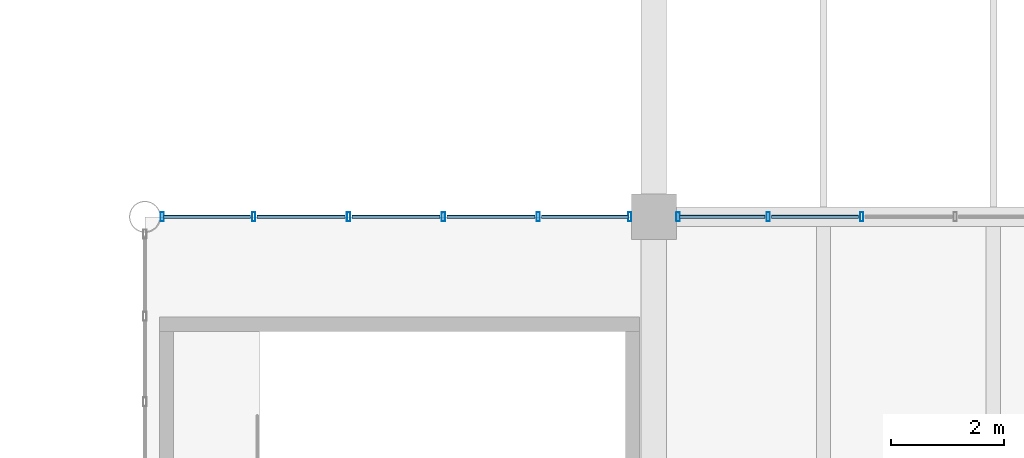
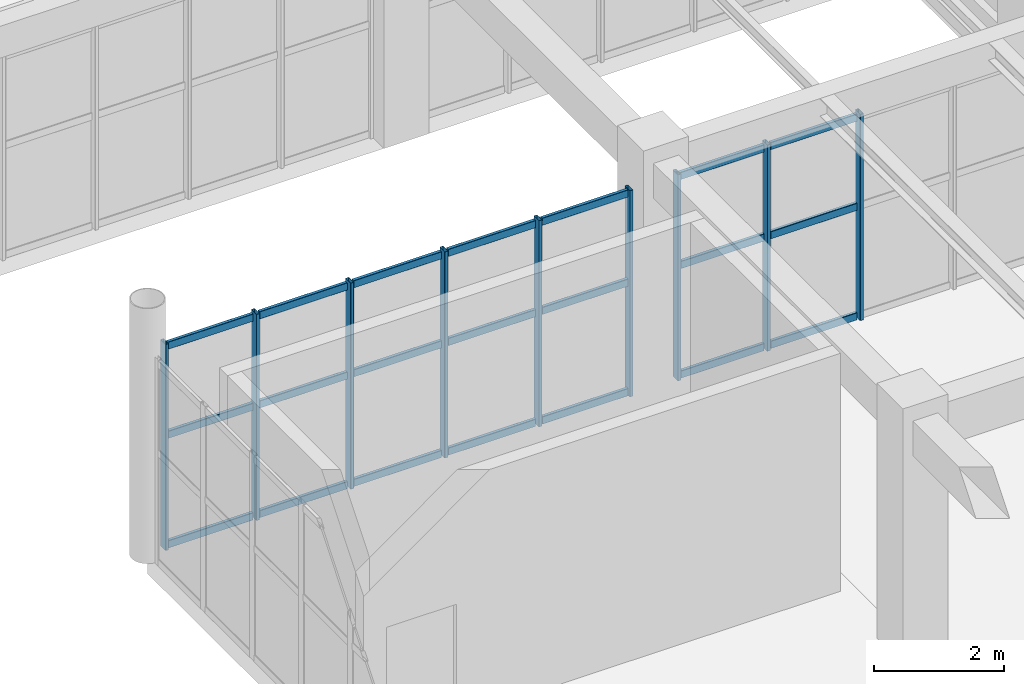
# One storey, part 75 of 178: 30 members, 2 elements without a shape of their own.
"""IFC4 building model written with IfcOpenShell, lengths in metres."""

from ifc_helpers import new_model, si_unit, derived_unit, direction, frame, origin, origin_2d, place, context, subcontext, project, spatial, hollow_rectangle, extrude, material, material_profile, profile_set, type_object, element, aggregate, save


model = new_model("IFC4")

# Units and contexts
model_context = context("Model", 3, precision=1e-05, world=origin(), true_north=direction((0.0, 1.0)))
body_context = subcontext(model_context, "Body", "Model", "MODEL_VIEW")
ifc_project = project(units=[si_unit("LENGTHUNIT", "METRE"), si_unit("AREAUNIT", "SQUARE_METRE"), si_unit("VOLUMEUNIT", "CUBIC_METRE"), si_unit("PLANEANGLEUNIT", "RADIAN"), si_unit("MASSUNIT", "GRAM", prefix="KILO"), derived_unit("THERMALTRANSMITTANCEUNIT", [(si_unit("MASSUNIT", "GRAM", prefix="KILO"), 1), (si_unit("TIMEUNIT", "SECOND"), -3), (si_unit("THERMODYNAMICTEMPERATUREUNIT", "KELVIN"), -1)])], contexts=[model_context])

# Site, building, storey
site_placement = place(None, origin())
site = spatial("IfcSite", under=ifc_project, at=site_placement, CompositionType="ELEMENT")
building_placement = place(site_placement, origin())
building = spatial("IfcBuilding", under=site, at=building_placement, Name="Zhenchuan Archway Interchange", CompositionType="ELEMENT")
storey_placement = place(building_placement, frame((0.0, 0.0, 5.39990234375)))
storey = spatial("IfcBuildingStorey", under=building, at=storey_placement, Name="L01", CompositionType="ELEMENT", Elevation=5.39990234375)

# Curtain wall, members
ifc_material = material(Name="Anodised Aluminium", Category="aluminium")
curtain_wall_type_1 = type_object("IfcCurtainWallType", Name="CW_UNIT_2", PredefinedType="NOTDEFINED", material=ifc_material)
curtain_wall_1_placement = place(storey_placement, origin())
curtain_wall_1 = element("IfcCurtainWall", 1, at=curtain_wall_1_placement, inside=storey, type_object=curtain_wall_type_1, Name="Unitised curtain wall CW:L01:037", PredefinedType="NOTDEFINED")
ifc_material_profile_1 = material_profile(ifc_material, hollow_rectangle(XDim=0.06005859375, YDim=0.159912109375, WallThickness=0.00390625, InnerFilletRadius=0.00390625, OuterFilletRadius=0.008056640625, at=origin_2d()), Name="ALU 160x60x4")
ifc_profile_set_1 = profile_set([ifc_material_profile_1], Name="Anodised Aluminium")
member_type_1 = type_object("IfcMemberType", Name="CW_MUL_150", PredefinedType="MULLION", material=ifc_profile_set_1)
member_1_placement = place(storey_placement, frame((18.306396484375, 88.0, 0.0), z_axis=(0.0, 0.0, 1.0), x_axis=(1.0, 0.0, 0.0)))
member_1 = element("IfcMember", 2, at=member_1_placement, type_object=member_type_1, Name="CW:L01:037 mullion 0", PredefinedType="MULLION", context=body_context, shape_type="SweptSolid", body=[
    extrude(hollow_rectangle(XDim=0.06005859375, YDim=0.159912109375, WallThickness=0.00390625, InnerFilletRadius=0.00390625, OuterFilletRadius=0.008056640625, at=origin_2d()), origin(), (0.0, 0.0, 1.0), 3.880126953125),
])
member_2_placement = place(storey_placement, frame((19.923583984375, 88.0, 0.0), z_axis=(0.0, 0.0, 1.0), x_axis=(1.0, 0.0, 0.0)))
member_2 = element("IfcMember", 3, at=member_2_placement, type_object=member_type_1, Name="CW:L01:037 mullion 1", PredefinedType="MULLION", context=body_context, shape_type="SweptSolid", body=[
    extrude(hollow_rectangle(XDim=0.06005859375, YDim=0.159912109375, WallThickness=0.00390625, InnerFilletRadius=0.00390625, OuterFilletRadius=0.008056640625, at=origin_2d()), origin(), (0.0, 0.0, 1.0), 3.880126953125),
])
member_3_placement = place(storey_placement, frame((21.6005859375, 88.0, 0.0), z_axis=(0.0, 0.0, 1.0), x_axis=(1.0, 0.0, 0.0)))
member_3 = element("IfcMember", 4, at=member_3_placement, type_object=member_type_1, Name="CW:L01:037 mullion 2", PredefinedType="MULLION", context=body_context, shape_type="SweptSolid", body=[
    extrude(hollow_rectangle(XDim=0.06005859375, YDim=0.159912109375, WallThickness=0.00390625, InnerFilletRadius=0.00390625, OuterFilletRadius=0.008056640625, at=origin_2d()), origin(), (0.0, 0.0, 1.0), 3.880126953125),
])
member_4_placement = place(storey_placement, frame((23.27783203125, 88.0, 0.0), z_axis=(0.0, 0.0, 1.0), x_axis=(1.0, 0.0, 0.0)))
member_4 = element("IfcMember", 5, at=member_4_placement, type_object=member_type_1, Name="CW:L01:037 mullion 3", PredefinedType="MULLION", context=body_context, shape_type="SweptSolid", body=[
    extrude(hollow_rectangle(XDim=0.06005859375, YDim=0.159912109375, WallThickness=0.00390625, InnerFilletRadius=0.00390625, OuterFilletRadius=0.008056640625, at=origin_2d()), origin(), (0.0, 0.0, 1.0), 3.880126953125),
])
member_5_placement = place(storey_placement, frame((24.954833984375, 88.0, 0.0), z_axis=(0.0, 0.0, 1.0), x_axis=(1.0, 0.0, 0.0)))
member_5 = element("IfcMember", 6, at=member_5_placement, type_object=member_type_1, Name="CW:L01:037 mullion 4", PredefinedType="MULLION", context=body_context, shape_type="SweptSolid", body=[
    extrude(hollow_rectangle(XDim=0.06005859375, YDim=0.159912109375, WallThickness=0.00390625, InnerFilletRadius=0.00390625, OuterFilletRadius=0.008056640625, at=origin_2d()), origin(), (0.0, 0.0, 1.0), 3.880126953125),
])
member_6_placement = place(storey_placement, frame((26.572021484375, 88.0, 0.0), z_axis=(0.0, 0.0, 1.0), x_axis=(1.0, 0.0, 0.0)))
member_6 = element("IfcMember", 7, at=member_6_placement, type_object=member_type_1, Name="CW:L01:037 mullion 5", PredefinedType="MULLION", context=body_context, shape_type="SweptSolid", body=[
    extrude(hollow_rectangle(XDim=0.06005859375, YDim=0.159912109375, WallThickness=0.00390625, InnerFilletRadius=0.00390625, OuterFilletRadius=0.008056640625, at=origin_2d()), origin(), (0.0, 0.0, 1.0), 3.880126953125),
])

curtain_wall_type_2 = type_object("IfcCurtainWallType", Name="CW_UNIT_3", PredefinedType="NOTDEFINED", material=ifc_material)
curtain_wall_2_placement = place(storey_placement, origin())
curtain_wall_2 = element("IfcCurtainWall", 8, at=curtain_wall_2_placement, inside=storey, type_object=curtain_wall_type_2, Name="Unitised curtain wall CW:L01:038", PredefinedType="NOTDEFINED")
member_7_placement = place(storey_placement, frame((27.427978515625, 88.0, 0.0), z_axis=(0.0, 0.0, 1.0), x_axis=(1.0, 0.0, 0.0)))
member_7 = element("IfcMember", 9, at=member_7_placement, type_object=member_type_1, Name="CW:L01:038 mullion 0", PredefinedType="MULLION", context=body_context, shape_type="SweptSolid", body=[
    extrude(hollow_rectangle(XDim=0.06005859375, YDim=0.159912109375, WallThickness=0.00390625, InnerFilletRadius=0.00390625, OuterFilletRadius=0.008056640625, at=origin_2d()), origin(), (0.0, 0.0, 1.0), 3.880126953125),
])
member_8_placement = place(storey_placement, frame((29.020751953125, 88.0, 0.0), z_axis=(0.0, 0.0, 1.0), x_axis=(1.0, 0.0, 0.0)))
member_8 = element("IfcMember", 10, at=member_8_placement, type_object=member_type_1, Name="CW:L01:038 mullion 1", PredefinedType="MULLION", context=body_context, shape_type="SweptSolid", body=[
    extrude(hollow_rectangle(XDim=0.06005859375, YDim=0.159912109375, WallThickness=0.00390625, InnerFilletRadius=0.00390625, OuterFilletRadius=0.008056640625, at=origin_2d()), origin(), (0.0, 0.0, 1.0), 3.880126953125),
])
member_9_placement = place(storey_placement, frame((30.673583984375, 88.0, 0.0), z_axis=(0.0, 0.0, 1.0), x_axis=(1.0, 0.0, 0.0)))
member_9 = element("IfcMember", 11, at=member_9_placement, type_object=member_type_1, Name="CW:L01:038 mullion 2", PredefinedType="MULLION", context=body_context, shape_type="SweptSolid", body=[
    extrude(hollow_rectangle(XDim=0.06005859375, YDim=0.159912109375, WallThickness=0.00390625, InnerFilletRadius=0.00390625, OuterFilletRadius=0.008056640625, at=origin_2d()), origin(), (0.0, 0.0, 1.0), 3.880126953125),
])

# Member
ifc_material_profile_2 = material_profile(ifc_material, hollow_rectangle(XDim=0.06005859375, YDim=0.139892578125, WallThickness=0.00341796875, InnerFilletRadius=0.00341796875, OuterFilletRadius=0.007080078125, at=origin_2d()), Name="ALU 140x60x3.5")
ifc_profile_set_2 = profile_set([ifc_material_profile_2], Name="Anodised Aluminium")
member_type_2 = type_object("IfcMemberType", Name="CW_TRN_140", PredefinedType="USERDEFINED", material=ifc_profile_set_2)
member_10_placement = place(storey_placement, frame((18.326416015625, 88.0, 0.06005859375), z_axis=(1.0, 0.0, 0.0), x_axis=(0.0, 1.0, 0.0)))
member_10 = element("IfcMember", 12, at=member_10_placement, type_object=member_type_2, Name="CW:L01:037 transom 0-1", ObjectType="TRANSOM", PredefinedType="USERDEFINED", context=body_context, shape_type="SweptSolid", body=[
    extrude(hollow_rectangle(XDim=0.06005859375, YDim=0.139892578125, WallThickness=0.00341796875, InnerFilletRadius=0.00341796875, OuterFilletRadius=0.007080078125, at=origin_2d()), origin(), (0.0, 0.0, 1.0), 1.537109375),
])

member_11_placement = place(storey_placement, frame((18.326416015625, 88.0, 2.123046875), z_axis=(1.0, 0.0, 0.0), x_axis=(0.0, 1.0, 0.0)))
member_11 = element("IfcMember", 13, at=member_11_placement, type_object=member_type_2, Name="CW:L01:037 transom 0-2", ObjectType="TRANSOM", PredefinedType="USERDEFINED", context=body_context, shape_type="SweptSolid", body=[
    extrude(hollow_rectangle(XDim=0.06005859375, YDim=0.139892578125, WallThickness=0.00341796875, InnerFilletRadius=0.00341796875, OuterFilletRadius=0.007080078125, at=origin_2d()), origin(), (0.0, 0.0, 1.0), 1.537109375),
])

member_12_placement = place(storey_placement, frame((18.326416015625, 88.0, 3.800048828125), z_axis=(1.0, 0.0, 0.0), x_axis=(0.0, 1.0, 0.0)))
member_12 = element("IfcMember", 14, at=member_12_placement, type_object=member_type_2, Name="CW:L01:037 transom 0-3", ObjectType="TRANSOM", PredefinedType="USERDEFINED", context=body_context, shape_type="SweptSolid", body=[
    extrude(hollow_rectangle(XDim=0.06005859375, YDim=0.139892578125, WallThickness=0.00341796875, InnerFilletRadius=0.00341796875, OuterFilletRadius=0.007080078125, at=origin_2d()), origin(), (0.0, 0.0, 1.0), 1.537109375),
])

member_13_placement = place(storey_placement, frame((19.983642578125, 88.0, 0.06005859375), z_axis=(1.0, 0.0, 0.0), x_axis=(0.0, 1.0, 0.0)))
member_13 = element("IfcMember", 15, at=member_13_placement, type_object=member_type_2, Name="CW:L01:037 transom 1-1", ObjectType="TRANSOM", PredefinedType="USERDEFINED", context=body_context, shape_type="SweptSolid", body=[
    extrude(hollow_rectangle(XDim=0.06005859375, YDim=0.139892578125, WallThickness=0.00341796875, InnerFilletRadius=0.00341796875, OuterFilletRadius=0.007080078125, at=origin_2d()), origin(), (0.0, 0.0, 1.0), 1.55712890625),
])

member_14_placement = place(storey_placement, frame((19.983642578125, 88.0, 2.123046875), z_axis=(1.0, 0.0, 0.0), x_axis=(0.0, 1.0, 0.0)))
member_14 = element("IfcMember", 16, at=member_14_placement, type_object=member_type_2, Name="CW:L01:037 transom 1-2", ObjectType="TRANSOM", PredefinedType="USERDEFINED", context=body_context, shape_type="SweptSolid", body=[
    extrude(hollow_rectangle(XDim=0.06005859375, YDim=0.139892578125, WallThickness=0.00341796875, InnerFilletRadius=0.00341796875, OuterFilletRadius=0.007080078125, at=origin_2d()), origin(), (0.0, 0.0, 1.0), 1.55712890625),
])

member_15_placement = place(storey_placement, frame((19.983642578125, 88.0, 3.800048828125), z_axis=(1.0, 0.0, 0.0), x_axis=(0.0, 1.0, 0.0)))
member_15 = element("IfcMember", 17, at=member_15_placement, type_object=member_type_2, Name="CW:L01:037 transom 1-3", ObjectType="TRANSOM", PredefinedType="USERDEFINED", context=body_context, shape_type="SweptSolid", body=[
    extrude(hollow_rectangle(XDim=0.06005859375, YDim=0.139892578125, WallThickness=0.00341796875, InnerFilletRadius=0.00341796875, OuterFilletRadius=0.007080078125, at=origin_2d()), origin(), (0.0, 0.0, 1.0), 1.55712890625),
])

member_16_placement = place(storey_placement, frame((21.66064453125, 88.0, 0.06005859375), z_axis=(1.0, 0.0, 0.0), x_axis=(0.0, 1.0, 0.0)))
member_16 = element("IfcMember", 18, at=member_16_placement, type_object=member_type_2, Name="CW:L01:037 transom 2-1", ObjectType="TRANSOM", PredefinedType="USERDEFINED", context=body_context, shape_type="SweptSolid", body=[
    extrude(hollow_rectangle(XDim=0.06005859375, YDim=0.139892578125, WallThickness=0.00341796875, InnerFilletRadius=0.00341796875, OuterFilletRadius=0.007080078125, at=origin_2d()), origin(), (0.0, 0.0, 1.0), 1.55712890625),
])

member_17_placement = place(storey_placement, frame((21.66064453125, 88.0, 2.123046875), z_axis=(1.0, 0.0, 0.0), x_axis=(0.0, 1.0, 0.0)))
member_17 = element("IfcMember", 19, at=member_17_placement, type_object=member_type_2, Name="CW:L01:037 transom 2-2", ObjectType="TRANSOM", PredefinedType="USERDEFINED", context=body_context, shape_type="SweptSolid", body=[
    extrude(hollow_rectangle(XDim=0.06005859375, YDim=0.139892578125, WallThickness=0.00341796875, InnerFilletRadius=0.00341796875, OuterFilletRadius=0.007080078125, at=origin_2d()), origin(), (0.0, 0.0, 1.0), 1.55712890625),
])

member_18_placement = place(storey_placement, frame((21.66064453125, 88.0, 3.800048828125), z_axis=(1.0, 0.0, 0.0), x_axis=(0.0, 1.0, 0.0)))
member_18 = element("IfcMember", 20, at=member_18_placement, type_object=member_type_2, Name="CW:L01:037 transom 2-3", ObjectType="TRANSOM", PredefinedType="USERDEFINED", context=body_context, shape_type="SweptSolid", body=[
    extrude(hollow_rectangle(XDim=0.06005859375, YDim=0.139892578125, WallThickness=0.00341796875, InnerFilletRadius=0.00341796875, OuterFilletRadius=0.007080078125, at=origin_2d()), origin(), (0.0, 0.0, 1.0), 1.55712890625),
])

member_19_placement = place(storey_placement, frame((23.337890625, 88.0, 0.06005859375), z_axis=(1.0, 0.0, 0.0), x_axis=(0.0, 1.0, 0.0)))
member_19 = element("IfcMember", 21, at=member_19_placement, type_object=member_type_2, Name="CW:L01:037 transom 3-1", ObjectType="TRANSOM", PredefinedType="USERDEFINED", context=body_context, shape_type="SweptSolid", body=[
    extrude(hollow_rectangle(XDim=0.06005859375, YDim=0.139892578125, WallThickness=0.00341796875, InnerFilletRadius=0.00341796875, OuterFilletRadius=0.007080078125, at=origin_2d()), origin(), (0.0, 0.0, 1.0), 1.55712890625),
])

member_20_placement = place(storey_placement, frame((23.337890625, 88.0, 2.123046875), z_axis=(1.0, 0.0, 0.0), x_axis=(0.0, 1.0, 0.0)))
member_20 = element("IfcMember", 22, at=member_20_placement, type_object=member_type_2, Name="CW:L01:037 transom 3-2", ObjectType="TRANSOM", PredefinedType="USERDEFINED", context=body_context, shape_type="SweptSolid", body=[
    extrude(hollow_rectangle(XDim=0.06005859375, YDim=0.139892578125, WallThickness=0.00341796875, InnerFilletRadius=0.00341796875, OuterFilletRadius=0.007080078125, at=origin_2d()), origin(), (0.0, 0.0, 1.0), 1.55712890625),
])

member_21_placement = place(storey_placement, frame((23.337890625, 88.0, 3.800048828125), z_axis=(1.0, 0.0, 0.0), x_axis=(0.0, 1.0, 0.0)))
member_21 = element("IfcMember", 23, at=member_21_placement, type_object=member_type_2, Name="CW:L01:037 transom 3-3", ObjectType="TRANSOM", PredefinedType="USERDEFINED", context=body_context, shape_type="SweptSolid", body=[
    extrude(hollow_rectangle(XDim=0.06005859375, YDim=0.139892578125, WallThickness=0.00341796875, InnerFilletRadius=0.00341796875, OuterFilletRadius=0.007080078125, at=origin_2d()), origin(), (0.0, 0.0, 1.0), 1.55712890625),
])

member_22_placement = place(storey_placement, frame((25.014892578125, 88.0, 0.06005859375), z_axis=(1.0, 0.0, 0.0), x_axis=(0.0, 1.0, 0.0)))
member_22 = element("IfcMember", 24, at=member_22_placement, type_object=member_type_2, Name="CW:L01:037 transom 4-1", ObjectType="TRANSOM", PredefinedType="USERDEFINED", context=body_context, shape_type="SweptSolid", body=[
    extrude(hollow_rectangle(XDim=0.06005859375, YDim=0.139892578125, WallThickness=0.00341796875, InnerFilletRadius=0.00341796875, OuterFilletRadius=0.007080078125, at=origin_2d()), origin(), (0.0, 0.0, 1.0), 1.537109375),
])

member_23_placement = place(storey_placement, frame((25.014892578125, 88.0, 2.123046875), z_axis=(1.0, 0.0, 0.0), x_axis=(0.0, 1.0, 0.0)))
member_23 = element("IfcMember", 25, at=member_23_placement, type_object=member_type_2, Name="CW:L01:037 transom 4-2", ObjectType="TRANSOM", PredefinedType="USERDEFINED", context=body_context, shape_type="SweptSolid", body=[
    extrude(hollow_rectangle(XDim=0.06005859375, YDim=0.139892578125, WallThickness=0.00341796875, InnerFilletRadius=0.00341796875, OuterFilletRadius=0.007080078125, at=origin_2d()), origin(), (0.0, 0.0, 1.0), 1.537109375),
])

member_24_placement = place(storey_placement, frame((25.014892578125, 88.0, 3.800048828125), z_axis=(1.0, 0.0, 0.0), x_axis=(0.0, 1.0, 0.0)))
member_24 = element("IfcMember", 26, at=member_24_placement, type_object=member_type_2, Name="CW:L01:037 transom 4-3", ObjectType="TRANSOM", PredefinedType="USERDEFINED", context=body_context, shape_type="SweptSolid", body=[
    extrude(hollow_rectangle(XDim=0.06005859375, YDim=0.139892578125, WallThickness=0.00341796875, InnerFilletRadius=0.00341796875, OuterFilletRadius=0.007080078125, at=origin_2d()), origin(), (0.0, 0.0, 1.0), 1.537109375),
])

aggregate(curtain_wall_1, [member_1, member_2, member_3, member_4, member_5, member_6, member_10, member_11, member_12, member_13, member_14, member_15, member_16, member_17, member_18, member_19, member_20, member_21, member_22, member_23, member_24])

member_25_placement = place(storey_placement, frame((27.447998046875, 88.0, 0.06005859375), z_axis=(1.0, 0.0, 0.0), x_axis=(0.0, 1.0, 0.0)))
member_25 = element("IfcMember", 27, at=member_25_placement, type_object=member_type_2, Name="CW:L01:038 transom 0-1", ObjectType="TRANSOM", PredefinedType="USERDEFINED", context=body_context, shape_type="SweptSolid", body=[
    extrude(hollow_rectangle(XDim=0.06005859375, YDim=0.139892578125, WallThickness=0.00341796875, InnerFilletRadius=0.00341796875, OuterFilletRadius=0.007080078125, at=origin_2d()), origin(), (0.0, 0.0, 1.0), 1.5126953125),
])

member_26_placement = place(storey_placement, frame((27.447998046875, 88.0, 2.123046875), z_axis=(1.0, 0.0, 0.0), x_axis=(0.0, 1.0, 0.0)))
member_26 = element("IfcMember", 28, at=member_26_placement, type_object=member_type_2, Name="CW:L01:038 transom 0-2", ObjectType="TRANSOM", PredefinedType="USERDEFINED", context=body_context, shape_type="SweptSolid", body=[
    extrude(hollow_rectangle(XDim=0.06005859375, YDim=0.139892578125, WallThickness=0.00341796875, InnerFilletRadius=0.00341796875, OuterFilletRadius=0.007080078125, at=origin_2d()), origin(), (0.0, 0.0, 1.0), 1.5126953125),
])

member_27_placement = place(storey_placement, frame((27.447998046875, 88.0, 3.800048828125), z_axis=(1.0, 0.0, 0.0), x_axis=(0.0, 1.0, 0.0)))
member_27 = element("IfcMember", 29, at=member_27_placement, type_object=member_type_2, Name="CW:L01:038 transom 0-3", ObjectType="TRANSOM", PredefinedType="USERDEFINED", context=body_context, shape_type="SweptSolid", body=[
    extrude(hollow_rectangle(XDim=0.06005859375, YDim=0.139892578125, WallThickness=0.00341796875, InnerFilletRadius=0.00341796875, OuterFilletRadius=0.007080078125, at=origin_2d()), origin(), (0.0, 0.0, 1.0), 1.5126953125),
])

member_28_placement = place(storey_placement, frame((29.080810546875, 88.0, 0.06005859375), z_axis=(1.0, 0.0, 0.0), x_axis=(0.0, 1.0, 0.0)))
member_28 = element("IfcMember", 30, at=member_28_placement, type_object=member_type_2, Name="CW:L01:038 transom 1-1", ObjectType="TRANSOM", PredefinedType="USERDEFINED", context=body_context, shape_type="SweptSolid", body=[
    extrude(hollow_rectangle(XDim=0.06005859375, YDim=0.139892578125, WallThickness=0.00341796875, InnerFilletRadius=0.00341796875, OuterFilletRadius=0.007080078125, at=origin_2d()), origin(), (0.0, 0.0, 1.0), 1.53271484375),
])

member_29_placement = place(storey_placement, frame((29.080810546875, 88.0, 2.123046875), z_axis=(1.0, 0.0, 0.0), x_axis=(0.0, 1.0, 0.0)))
member_29 = element("IfcMember", 31, at=member_29_placement, type_object=member_type_2, Name="CW:L01:038 transom 1-2", ObjectType="TRANSOM", PredefinedType="USERDEFINED", context=body_context, shape_type="SweptSolid", body=[
    extrude(hollow_rectangle(XDim=0.06005859375, YDim=0.139892578125, WallThickness=0.00341796875, InnerFilletRadius=0.00341796875, OuterFilletRadius=0.007080078125, at=origin_2d()), origin(), (0.0, 0.0, 1.0), 1.53271484375),
])

member_30_placement = place(storey_placement, frame((29.080810546875, 88.0, 3.800048828125), z_axis=(1.0, 0.0, 0.0), x_axis=(0.0, 1.0, 0.0)))
member_30 = element("IfcMember", 32, at=member_30_placement, type_object=member_type_2, Name="CW:L01:038 transom 1-3", ObjectType="TRANSOM", PredefinedType="USERDEFINED", context=body_context, shape_type="SweptSolid", body=[
    extrude(hollow_rectangle(XDim=0.06005859375, YDim=0.139892578125, WallThickness=0.00341796875, InnerFilletRadius=0.00341796875, OuterFilletRadius=0.007080078125, at=origin_2d()), origin(), (0.0, 0.0, 1.0), 1.53271484375),
])

aggregate(curtain_wall_2, [member_7, member_8, member_9, member_25, member_26, member_27, member_28, member_29, member_30])

save(model, "model.ifc")
